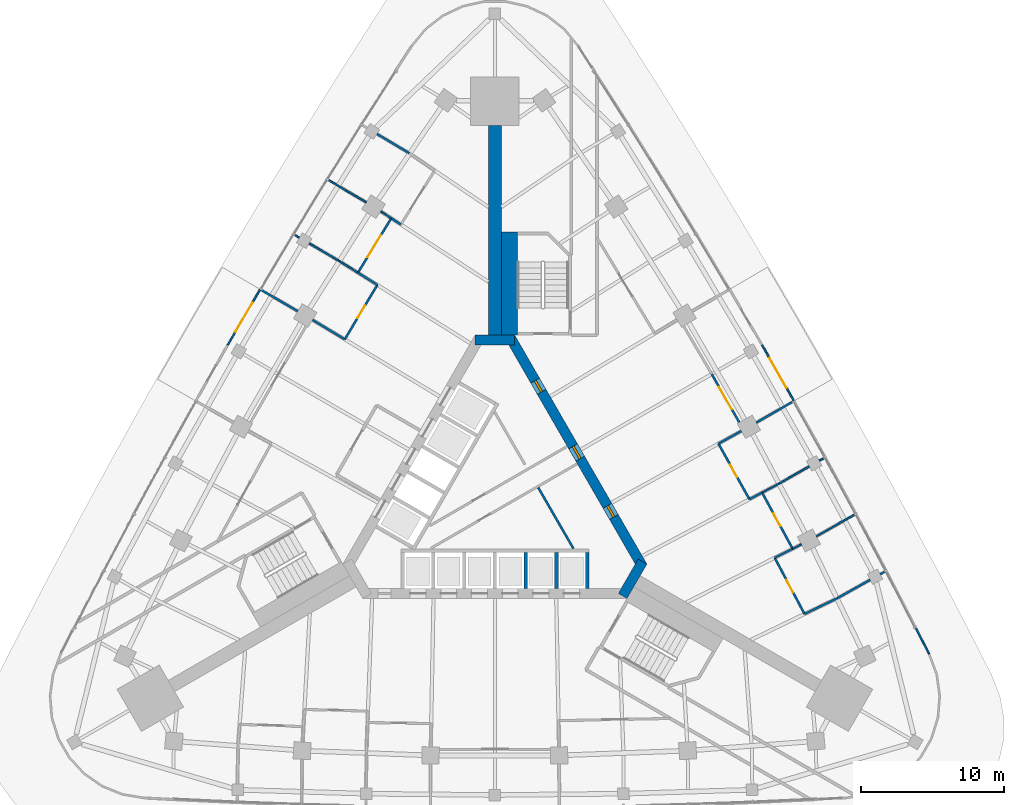
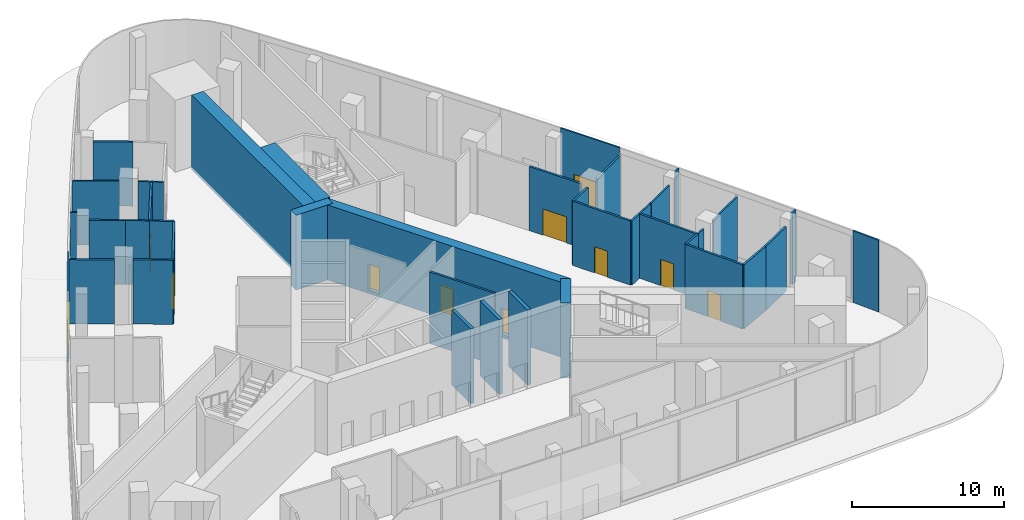
# One storey, part 9 of 14: 40 walls, 11 doors, 11 openings.
"""IFC4 building model written with IfcOpenShell, lengths in metres."""

from ifc_helpers import new_model, si_unit, direction, frame, frame_2d, origin, place, context, subcontext, project, spatial, rectangle, extrude, material, layer, layer_set, type_object, element, fill, save


model = new_model("IFC4")

# Units and contexts
model_context = context("Model", 3, precision=1e-05, world=origin(), true_north=direction((0.0, 1.0)))
body_context = subcontext(model_context, "Body", "Model", "MODEL_VIEW")
ifc_project = project(units=[si_unit("LENGTHUNIT", "METRE"), si_unit("AREAUNIT", "SQUARE_METRE"), si_unit("VOLUMEUNIT", "CUBIC_METRE"), si_unit("PLANEANGLEUNIT", "RADIAN"), si_unit("MASSUNIT", "GRAM", prefix="KILO")], contexts=[model_context])

# Site, building, storey
site_placement = place(None, origin())
site = spatial("IfcSite", under=ifc_project, at=site_placement, CompositionType="ELEMENT")
building_placement = place(site_placement, origin())
building = spatial("IfcBuilding", under=site, at=building_placement, Name="Noor Cloister Tower", CompositionType="ELEMENT")
storey_placement = place(building_placement, origin())
storey = spatial("IfcBuildingStorey", under=building, at=storey_placement, Name="L00", CompositionType="ELEMENT", Elevation=0.0)

# Walls
ifc_material_1 = material(Name="Concrete C80/95", Category="concrete")
ifc_layer_1 = layer(ifc_material_1, 0.89990234375)
ifc_layer_set_1 = layer_set([ifc_layer_1], Name="Buttress wall 900 C80/95")
wall_type_1 = type_object("IfcWallType", Name="Buttress wall 900 C80/95", PredefinedType="SHEAR", material=ifc_layer_set_1)
wall_1_placement = place(storey_placement, frame((0.0, 11.456298828125, -0.25), z_axis=(0.0, 0.0, 1.0), x_axis=(0.0, 1.0, 0.0)))
element("IfcWall", 1, at=wall_1_placement, inside=storey, type_object=wall_type_1, Name="Buttress wall N L00", PredefinedType="SHEAR", context=body_context, shape_type="SweptSolid", body=[
    extrude(rectangle(XDim=14.6328125, YDim=0.89990234375, at=frame_2d((7.31640625, 0.0))), origin(), (0.0, 0.0, 1.0), 6.0),
])
ifc_material_2 = material(Name="Concrete C30/37", Category="concrete")
ifc_layer_2 = layer(ifc_material_2, 0.14990234375)
ifc_layer_set_2 = layer_set([ifc_layer_2], Name="Core partition 150 C30/37")
wall_type_2 = type_object("IfcWallType", Name="Core partition 150 C30/37", PredefinedType="PARTITIONING", material=ifc_layer_set_2)
wall_2_placement = place(storey_placement, frame((5.482421875, -3.439208984375, 0.0), z_axis=(0.0, 0.0, 1.0), x_axis=(-0.500006183238, 0.866021833861, 0.0)))
element("IfcWall", 2, at=wall_2_placement, inside=storey, type_object=wall_type_2, Name="Core room partition L00 4", PredefinedType="PARTITIONING", context=body_context, shape_type="SweptSolid", body=[
    extrude(rectangle(XDim=4.916015625, YDim=0.14990234375, at=frame_2d((2.4580078125, 0.0))), origin(), (0.0, 0.0, 1.0), 5.75),
])
ifc_material_3 = material(Name="Concrete C80/95", Category="concrete")
ifc_layer_3 = layer(ifc_material_3, 0.699951171875)
ifc_layer_set_3 = layer_set([ifc_layer_3], Name="Core wall 700 C80/95")
wall_type_3 = type_object("IfcWallType", Name="Core wall 700 C80/95", PredefinedType="SHEAR", material=ifc_layer_set_3)
wall_3_placement = place(storey_placement, frame((8.925537109375, -6.753173828125, -0.25), z_axis=(0.0, 0.0, 1.0), x_axis=(0.500042739161, 0.866000726912, 0.0)))
element("IfcWall", 3, at=wall_3_placement, inside=storey, type_object=wall_type_3, Name="Core wall L00 2", PredefinedType="SHEAR", context=body_context, shape_type="SweptSolid", body=[
    extrude(rectangle(XDim=2.771240234375, YDim=0.699951171875, at=frame_2d((1.3857421875, 0.0))), origin(), (0.0, 0.0, 1.0), 6.0),
])

# Wall, openings, doors
wall_4_placement = place(storey_placement, frame((10.311279296875, -4.703125, -0.25), z_axis=(0.0, 0.0, 1.0), x_axis=(-0.500001446645, 0.866024568562, 0.0)))
wall_4 = element("IfcWall", 4, at=wall_4_placement, inside=storey, type_object=wall_type_3, Name="Core wall L00 3", PredefinedType="SHEAR", context=body_context, shape_type="SweptSolid", body=[
    extrude(rectangle(XDim=18.45751953125, YDim=0.699951171875, at=frame_2d((9.228759765625, 0.0))), origin(), (0.0, 0.0, 1.0), 6.0),
])
opening_1_placement = place(wall_4_placement, frame((8.699951171875, 0.0, 0.25)))
opening_1 = element("IfcOpeningElement", 5, at=opening_1_placement, cuts=wall_4, Name="Opening L00-901", PredefinedType="OPENING", context=body_context, shape_type="SweptSolid", body=[
    extrude(rectangle(XDim=1.0, YDim=2.10009765625, at=frame_2d((0.5, 1.050048828125))), frame((0.0, 0.35986328125, 0.0), z_axis=(0.0, -1.0, 0.0), x_axis=(1.0, 0.0, 0.0)), (0.0, 0.0, 1.0), 0.719970703125),
])
opening_2_placement = place(wall_4_placement, frame((4.001953125, 0.0, 0.25)))
opening_2 = element("IfcOpeningElement", 6, at=opening_2_placement, cuts=wall_4, Name="Opening L00-902", PredefinedType="OPENING", context=body_context, shape_type="SweptSolid", body=[
    extrude(rectangle(XDim=0.89990234375, YDim=2.10009765625, at=frame_2d((0.449951171875, 1.050048828125))), frame((0.0, 0.35986328125, 0.0), z_axis=(0.0, -1.0, 0.0), x_axis=(1.0, 0.0, 0.0)), (0.0, 0.0, 1.0), 0.719970703125),
])
opening_3_placement = place(wall_4_placement, frame((14.093017578125, 0.0, 0.25)))
opening_3 = element("IfcOpeningElement", 7, at=opening_3_placement, cuts=wall_4, Name="Opening L00-903", PredefinedType="OPENING", context=body_context, shape_type="SweptSolid", body=[
    extrude(rectangle(XDim=0.89990234375, YDim=2.10009765625, at=frame_2d((0.449951171875, 1.050048828125))), frame((0.0, 0.35986328125, 0.0), z_axis=(0.0, -1.0, 0.0), x_axis=(1.0, 0.0, 0.0)), (0.0, 0.0, 1.0), 0.719970703125),
])
ifc_material_4 = material(Name="Steel", Category="steel")
door_type_1 = type_object("IfcDoorType", Name="Core door 1000 x 2100 FD120", OperationType="SINGLE_SWING_LEFT", PredefinedType="DOOR", material=ifc_material_4)
door_1_placement = place(opening_1_placement, origin())
door_1 = element("IfcDoor", 8, at=door_1_placement, inside=storey, type_object=door_type_1, Name="Core door 1 L00", OperationType="SINGLE_SWING_LEFT", OverallHeight=2.10009765625, OverallWidth=1.0, PredefinedType="DOOR", context=body_context, shape_type="SweptSolid", body=[
    extrude(rectangle(XDim=1.0, YDim=2.10009765625, at=frame_2d((0.5, 1.050048828125))), frame((0.0, 0.074951171875, 0.0), z_axis=(0.0, -1.0, 0.0), x_axis=(1.0, 0.0, 0.0)), (0.0, 0.0, 1.0), 0.14990234375),
])
fill(opening_1, door_1)
ifc_material_5 = material(Name="Steel", Category="steel")
door_type_2 = type_object("IfcDoorType", Name="Core door 900 x 2100 FD120", OperationType="SINGLE_SWING_LEFT", PredefinedType="DOOR", material=ifc_material_5)
door_2_placement = place(opening_2_placement, origin())
door_2 = element("IfcDoor", 9, at=door_2_placement, inside=storey, type_object=door_type_2, Name="Core door 2 L00", OperationType="SINGLE_SWING_RIGHT", OverallHeight=2.10009765625, OverallWidth=0.89990234375, PredefinedType="DOOR", context=body_context, shape_type="SweptSolid", body=[
    extrude(rectangle(XDim=0.89990234375, YDim=2.10009765625, at=frame_2d((0.449951171875, 1.050048828125))), frame((0.0, 0.074951171875, 0.0), z_axis=(0.0, -1.0, 0.0), x_axis=(1.0, 0.0, 0.0)), (0.0, 0.0, 1.0), 0.14990234375),
])
fill(opening_2, door_2)
door_3_placement = place(opening_3_placement, origin())
door_3 = element("IfcDoor", 10, at=door_3_placement, inside=storey, type_object=door_type_2, Name="Core door 3 L00", OperationType="SINGLE_SWING_LEFT", OverallHeight=2.10009765625, OverallWidth=0.89990234375, PredefinedType="DOOR", context=body_context, shape_type="SweptSolid", body=[
    extrude(rectangle(XDim=0.89990234375, YDim=2.10009765625, at=frame_2d((0.449951171875, 1.050048828125))), frame((0.0, 0.074951171875, 0.0), z_axis=(0.0, -1.0, 0.0), x_axis=(1.0, 0.0, 0.0)), (0.0, 0.0, 1.0), 0.14990234375),
])
fill(opening_3, door_3)

# Walls
wall_5_placement = place(storey_placement, frame((1.3857421875, 11.1064453125, -0.25), z_axis=(0.0, 0.0, 1.0), x_axis=(-1.0, 0.0, 0.0)))
element("IfcWall", 11, at=wall_5_placement, inside=storey, type_object=wall_type_3, Name="Core wall L00 4", PredefinedType="SHEAR", context=body_context, shape_type="SweptSolid", body=[
    extrude(rectangle(XDim=2.771484375, YDim=0.699951171875, at=frame_2d((1.3857421875, 0.0))), origin(), (0.0, 0.0, 1.0), 6.0),
])
ifc_material_6 = material(Name="Plasterboard on steel studs", Category="steel")
ifc_layer_4 = layer(ifc_material_6, 0.14990234375)
ifc_layer_set_4 = layer_set([ifc_layer_4], Name="Corridor wall 150")
wall_type_4 = type_object("IfcWallType", Name="Corridor wall 150", PredefinedType="PARTITIONING", material=ifc_layer_set_4)
wall_6_placement = place(storey_placement, frame((20.79296875, -3.4580078125, 0.0), z_axis=(0.0, 0.0, 1.0), x_axis=(-0.892393029741, -0.451258994891, 0.0)))
element("IfcWall", 12, at=wall_6_placement, inside=storey, type_object=wall_type_4, Name="Partition", PredefinedType="PARTITIONING", context=body_context, shape_type="SweptSolid", body=[
    extrude(rectangle(XDim=1.3984375, YDim=0.14990234375, at=frame_2d((0.69921875, 0.0))), origin(), (0.0, 0.0, 1.0), 5.137939453125),
])

# Wall, opening, door
wall_7_placement = place(storey_placement, frame((19.544921875, -4.089111328125, 0.0), z_axis=(0.0, 0.0, 1.0), x_axis=(0.468453235822, -0.88348829412, 0.0)))
wall_7 = element("IfcWall", 13, at=wall_7_placement, inside=storey, type_object=wall_type_4, Name="Partition", PredefinedType="PARTITIONING", context=body_context, shape_type="SweptSolid", body=[
    extrude(rectangle(XDim=4.4423828125, YDim=0.14990234375, at=frame_2d((2.22119140625, 0.0))), origin(), (0.0, 0.0, 1.0), 5.137939453125),
])
opening_4_placement = place(wall_7_placement, frame((1.75, 0.0, 0.0)))
opening_4 = element("IfcOpeningElement", 14, at=opening_4_placement, cuts=wall_7, Name="Opening L00-005", PredefinedType="OPENING", context=body_context, shape_type="SweptSolid", body=[
    extrude(rectangle(XDim=1.0, YDim=2.10009765625, at=frame_2d((0.5, 1.050048828125))), frame((0.0, 0.0849609375, 0.0), z_axis=(0.0, -1.0, 0.0), x_axis=(1.0, 0.0, 0.0)), (0.0, 0.0, 1.0), 0.169921875),
])
ifc_material_7 = material(Name="Timber door leaf", Category="wood")
door_type_3 = type_object("IfcDoorType", Name="WC block door 1000", OperationType="SINGLE_SWING_LEFT", PredefinedType="DOOR", material=ifc_material_7)
door_4_placement = place(opening_4_placement, origin())
door_4 = element("IfcDoor", 15, at=door_4_placement, inside=storey, type_object=door_type_3, Name="Door L00-005", OperationType="SINGLE_SWING_RIGHT", OverallHeight=2.10009765625, OverallWidth=1.0, PredefinedType="DOOR", context=body_context, shape_type="SweptSolid", body=[
    extrude(rectangle(XDim=1.0, YDim=2.10009765625, at=frame_2d((0.5, 1.050048828125))), frame((0.0, 0.02490234375, 0.0), z_axis=(0.0, -1.0, 0.0), x_axis=(1.0, 0.0, 0.0)), (0.0, 0.0, 1.0), 0.050048828125),
])
fill(opening_4, door_4)

# Walls
wall_8_placement = place(storey_placement, frame((21.6259765625, -8.013916015625, 0.0), z_axis=(0.0, 0.0, 1.0), x_axis=(0.90070653262, 0.4344280632, 0.0)))
element("IfcWall", 16, at=wall_8_placement, inside=storey, type_object=wall_type_4, Name="Partition", PredefinedType="PARTITIONING", context=body_context, shape_type="SweptSolid", body=[
    extrude(rectangle(XDim=2.552490234375, YDim=0.14990234375, at=frame_2d((1.2763671875, 0.0))), origin(), (0.0, 0.0, 1.0), 5.137939453125),
])
wall_9_placement = place(storey_placement, frame((23.926025390625, -6.905029296875, 0.0), z_axis=(0.0, 0.0, 1.0), x_axis=(0.87242811496, 0.488742451836, 0.0)))
element("IfcWall", 17, at=wall_9_placement, inside=storey, type_object=wall_type_4, Name="Partition", PredefinedType="PARTITIONING", context=body_context, shape_type="SweptSolid", body=[
    extrude(rectangle(XDim=2.619140625, YDim=0.14990234375, at=frame_2d((1.3095703125, 0.0))), origin(), (0.0, 0.0, 1.0), 5.137939453125),
])
wall_10_placement = place(storey_placement, frame((26.908935546875, -5.23388671875, 0.0), z_axis=(0.0, 0.0, 1.0), x_axis=(0.872544760499, 0.4885341758, 0.0)))
element("IfcWall", 18, at=wall_10_placement, inside=storey, type_object=wall_type_4, Name="Partition", PredefinedType="PARTITIONING", context=body_context, shape_type="SweptSolid", body=[
    extrude(rectangle(XDim=0.4296875, YDim=0.14990234375, at=frame_2d((0.21484375, 0.0))), origin(), (0.0, 0.0, 1.0), 5.75),
])

# Wall, opening, door
wall_11_placement = place(storey_placement, frame((20.77099609375, -3.412109375, 0.0), z_axis=(0.0, 0.0, 1.0), x_axis=(-0.477813137195, 0.878461499398, 0.0)))
wall_11 = element("IfcWall", 19, at=wall_11_placement, inside=storey, type_object=wall_type_4, Name="Partition", PredefinedType="PARTITIONING", context=body_context, shape_type="SweptSolid", body=[
    extrude(rectangle(XDim=4.41357421875, YDim=0.14990234375, at=frame_2d((2.206787109375, 0.0))), origin(), (0.0, 0.0, 1.0), 5.137939453125),
])
opening_5_placement = place(wall_11_placement, frame((1.75, 0.0, 0.0)))
opening_5 = element("IfcOpeningElement", 20, at=opening_5_placement, cuts=wall_11, Name="Opening L00-007", PredefinedType="OPENING", context=body_context, shape_type="SweptSolid", body=[
    extrude(rectangle(XDim=1.0, YDim=2.10009765625, at=frame_2d((0.5, 1.050048828125))), frame((0.0, 0.0849609375, 0.0), z_axis=(0.0, -1.0, 0.0), x_axis=(1.0, 0.0, 0.0)), (0.0, 0.0, 1.0), 0.169921875),
])
ifc_material_8 = material(Name="Timber door leaf", Category="wood")
door_type_4 = type_object("IfcDoorType", Name="Clinic room door 1000", OperationType="SINGLE_SWING_LEFT", PredefinedType="DOOR", material=ifc_material_8)
door_5_placement = place(opening_5_placement, origin())
door_5 = element("IfcDoor", 21, at=door_5_placement, inside=storey, type_object=door_type_4, Name="Door L00-007", OperationType="SINGLE_SWING_LEFT", OverallHeight=2.10009765625, OverallWidth=1.0, PredefinedType="DOOR", context=body_context, shape_type="SweptSolid", body=[
    extrude(rectangle(XDim=1.0, YDim=2.10009765625, at=frame_2d((0.5, 1.050048828125))), frame((0.0, 0.02490234375, 0.0), z_axis=(0.0, -1.0, 0.0), x_axis=(1.0, 0.0, 0.0)), (0.0, 0.0, 1.0), 0.050048828125),
])
fill(opening_5, door_5)

# Wall
wall_12_placement = place(storey_placement, frame((18.6650390625, 0.468017578125, 0.0), z_axis=(0.0, 0.0, 1.0), x_axis=(-0.884024558502, -0.467440456064, 0.0)))
element("IfcWall", 22, at=wall_12_placement, inside=storey, type_object=wall_type_4, Name="Partition", PredefinedType="PARTITIONING", context=body_context, shape_type="SweptSolid", body=[
    extrude(rectangle(XDim=1.00341796875, YDim=0.14990234375, at=frame_2d((0.501708984375, 0.0))), origin(), (0.0, 0.0, 1.0), 5.137939453125),
])

# Wall, opening, door
wall_13_placement = place(storey_placement, frame((17.77001953125, 0.011962890625, 0.0), z_axis=(0.0, 0.0, 1.0), x_axis=(-0.486499058613, 0.873681100842, 0.0)))
wall_13 = element("IfcWall", 23, at=wall_13_placement, inside=storey, type_object=wall_type_4, Name="Partition", PredefinedType="PARTITIONING", context=body_context, shape_type="SweptSolid", body=[
    extrude(rectangle(XDim=4.4296875, YDim=0.14990234375, at=frame_2d((2.21484375, 0.0))), origin(), (0.0, 0.0, 1.0), 5.137939453125),
])
opening_6_placement = place(wall_13_placement, frame((1.75, 0.0, 0.0)))
opening_6 = element("IfcOpeningElement", 24, at=opening_6_placement, cuts=wall_13, Name="Opening L00-008", PredefinedType="OPENING", context=body_context, shape_type="SweptSolid", body=[
    extrude(rectangle(XDim=1.0, YDim=2.10009765625, at=frame_2d((0.5, 1.050048828125))), frame((0.0, 0.0849609375, 0.0), z_axis=(0.0, -1.0, 0.0), x_axis=(1.0, 0.0, 0.0)), (0.0, 0.0, 1.0), 0.169921875),
])
door_6_placement = place(opening_6_placement, origin())
door_6 = element("IfcDoor", 25, at=door_6_placement, inside=storey, type_object=door_type_4, Name="Door L00-008", OperationType="SINGLE_SWING_LEFT", OverallHeight=2.10009765625, OverallWidth=1.0, PredefinedType="DOOR", context=body_context, shape_type="SweptSolid", body=[
    extrude(rectangle(XDim=1.0, YDim=2.10009765625, at=frame_2d((0.5, 1.050048828125))), frame((0.0, 0.02490234375, 0.0), z_axis=(0.0, -1.0, 0.0), x_axis=(1.0, 0.0, 0.0)), (0.0, 0.0, 1.0), 0.050048828125),
])
fill(opening_6, door_6)

# Wall
wall_14_placement = place(storey_placement, frame((15.614990234375, 3.884033203125, 0.0), z_axis=(0.0, 0.0, 1.0), x_axis=(0.875240045644, 0.483688807501, 0.0)))
element("IfcWall", 26, at=wall_14_placement, inside=storey, type_object=wall_type_4, Name="Partition", PredefinedType="PARTITIONING", context=body_context, shape_type="SweptSolid", body=[
    extrude(rectangle(XDim=1.82568359375, YDim=0.14990234375, at=frame_2d((0.912841796875, 0.0))), origin(), (0.0, 0.0, 1.0), 5.137939453125),
])

# Wall, opening, door
wall_15_placement = place(storey_placement, frame((17.068115234375, 5.3720703125, 0.0), z_axis=(0.0, 0.0, 1.0), x_axis=(-0.495535858124, 0.86858748167, 0.0)))
wall_15 = element("IfcWall", 27, at=wall_15_placement, inside=storey, type_object=wall_type_4, Name="Partition", PredefinedType="PARTITIONING", context=body_context, shape_type="SweptSolid", body=[
    extrude(rectangle(XDim=3.880859375, YDim=0.14990234375, at=frame_2d((1.9404296875, 0.0))), origin(), (0.0, 0.0, 1.0), 5.137939453125),
])
opening_7_placement = place(wall_15_placement, frame((1.050048828125, 0.0, 0.0)))
opening_7 = element("IfcOpeningElement", 28, at=opening_7_placement, cuts=wall_15, Name="Opening L00-016", PredefinedType="OPENING", context=body_context, shape_type="SweptSolid", body=[
    extrude(rectangle(XDim=1.800048828125, YDim=2.10009765625, at=frame_2d((0.89990234375, 1.050048828125))), frame((0.0, 0.0849609375, 0.0), z_axis=(0.0, -1.0, 0.0), x_axis=(1.0, 0.0, 0.0)), (0.0, 0.0, 1.0), 0.169921875),
])
ifc_material_9 = material(Name="Timber door leaf", Category="wood")
door_type_5 = type_object("IfcDoorType", Name="Double leaf door 1800", OperationType="DOUBLE_DOOR_SINGLE_SWING", PredefinedType="DOOR", material=ifc_material_9)
door_7_placement = place(opening_7_placement, origin())
door_7 = element("IfcDoor", 29, at=door_7_placement, inside=storey, type_object=door_type_5, Name="Door L00-016", OperationType="DOUBLE_DOOR_SINGLE_SWING", OverallHeight=2.10009765625, OverallWidth=1.800048828125, PredefinedType="DOOR", context=body_context, shape_type="SweptSolid", body=[
    extrude(rectangle(XDim=1.800048828125, YDim=2.10009765625, at=frame_2d((0.89990234375, 1.050048828125))), frame((0.0, 0.02490234375, 0.0), z_axis=(0.0, -1.0, 0.0), x_axis=(1.0, 0.0, 0.0)), (0.0, 0.0, 1.0), 0.050048828125),
])
fill(opening_7, door_7)

# Walls
wall_16_placement = place(storey_placement, frame((20.837890625, 6.8349609375, 0.0), z_axis=(0.0, 0.0, 1.0), x_axis=(-0.867382463281, -0.497642102714, 0.0)))
element("IfcWall", 30, at=wall_16_placement, inside=storey, type_object=wall_type_4, Name="Partition", PredefinedType="PARTITIONING", context=body_context, shape_type="SweptSolid", body=[
    extrude(rectangle(XDim=2.971923828125, YDim=0.14990234375, at=frame_2d((1.48583984375, 0.0))), origin(), (0.0, 0.0, 1.0), 5.133056640625),
])
wall_17_placement = place(storey_placement, frame((-13.76904296875, 13.135009765625, 0.0), z_axis=(0.0, 0.0, 1.0), x_axis=(-0.864594359068, 0.502470490943, 0.0)))
element("IfcWall", 31, at=wall_17_placement, inside=storey, type_object=wall_type_4, Name="Partition", PredefinedType="PARTITIONING", context=body_context, shape_type="SweptSolid", body=[
    extrude(rectangle(XDim=2.97119140625, YDim=0.14990234375, at=frame_2d((1.485595703125, 0.0))), origin(), (0.0, 0.0, 1.0), 5.133056640625),
])
wall_18_placement = place(storey_placement, frame((-12.735107421875, 12.52392578125, 0.0), z_axis=(0.0, 0.0, 1.0), x_axis=(0.856490884452, -0.516162149766, 0.0)))
element("IfcWall", 32, at=wall_18_placement, inside=storey, type_object=wall_type_4, Name="Partition", PredefinedType="PARTITIONING", context=body_context, shape_type="SweptSolid", body=[
    extrude(rectangle(XDim=2.626953125, YDim=0.14990234375, at=frame_2d((1.3134765625, 0.0))), origin(), (0.0, 0.0, 1.0), 5.137939453125),
])

# Wall, opening, door
wall_19_placement = place(storey_placement, frame((-10.485107421875, 11.1689453125, 0.0), z_axis=(0.0, 0.0, 1.0), x_axis=(0.513360176277, 0.858173251397, 0.0)))
wall_19 = element("IfcWall", 33, at=wall_19_placement, inside=storey, type_object=wall_type_4, Name="Partition", PredefinedType="PARTITIONING", context=body_context, shape_type="SweptSolid", body=[
    extrude(rectangle(XDim=4.427978515625, YDim=0.14990234375, at=frame_2d((2.2138671875, 0.0))), origin(), (0.0, 0.0, 1.0), 5.137939453125),
])
opening_8_placement = place(wall_19_placement, frame((1.75, 0.0, 0.0)))
opening_8 = element("IfcOpeningElement", 34, at=opening_8_placement, cuts=wall_19, Name="Opening L00-009", PredefinedType="OPENING", context=body_context, shape_type="SweptSolid", body=[
    extrude(rectangle(XDim=1.0, YDim=2.10009765625, at=frame_2d((0.5, 1.050048828125))), frame((0.0, 0.0849609375, 0.0), z_axis=(0.0, -1.0, 0.0), x_axis=(1.0, 0.0, 0.0)), (0.0, 0.0, 1.0), 0.169921875),
])
door_8_placement = place(opening_8_placement, origin())
door_8 = element("IfcDoor", 35, at=door_8_placement, inside=storey, type_object=door_type_4, Name="Door L00-009", OperationType="SINGLE_SWING_RIGHT", OverallHeight=2.10009765625, OverallWidth=1.0, PredefinedType="DOOR", context=body_context, shape_type="SweptSolid", body=[
    extrude(rectangle(XDim=1.0, YDim=2.10009765625, at=frame_2d((0.5, 1.050048828125))), frame((0.0, 0.02490234375, 0.0), z_axis=(0.0, -1.0, 0.0), x_axis=(1.0, 0.0, 0.0)), (0.0, 0.0, 1.0), 0.050048828125),
])
fill(opening_8, door_8)

# Wall
wall_20_placement = place(storey_placement, frame((-8.2109375, 14.970947265625, 0.0), z_axis=(0.0, 0.0, 1.0), x_axis=(-0.846915577331, 0.531727378338, 0.0)))
element("IfcWall", 36, at=wall_20_placement, inside=storey, type_object=wall_type_4, Name="Partition", PredefinedType="PARTITIONING", context=body_context, shape_type="SweptSolid", body=[
    extrude(rectangle(XDim=1.5986328125, YDim=0.14990234375, at=frame_2d((0.79931640625, 0.0))), origin(), (0.0, 0.0, 1.0), 5.137939453125),
])

# Wall, opening, door
wall_21_placement = place(storey_placement, frame((-7.260009765625, 19.587890625, 0.0), z_axis=(0.0, 0.0, 1.0), x_axis=(-0.522038122716, -0.852922152621, 0.0)))
wall_21 = element("IfcWall", 37, at=wall_21_placement, inside=storey, type_object=wall_type_4, Name="Partition", PredefinedType="PARTITIONING", context=body_context, shape_type="SweptSolid", body=[
    extrude(rectangle(XDim=4.415283203125, YDim=0.14990234375, at=frame_2d((2.20751953125, 0.0))), origin(), (0.0, 0.0, 1.0), 5.137939453125),
])
opening_9_placement = place(wall_21_placement, frame((1.35009765625, 0.0, 0.0)))
opening_9 = element("IfcOpeningElement", 38, at=opening_9_placement, cuts=wall_21, Name="Opening L00-010", PredefinedType="OPENING", context=body_context, shape_type="SweptSolid", body=[
    extrude(rectangle(XDim=1.800048828125, YDim=2.10009765625, at=frame_2d((0.89990234375, 1.050048828125))), frame((0.0, 0.0849609375, 0.0), z_axis=(0.0, -1.0, 0.0), x_axis=(1.0, 0.0, 0.0)), (0.0, 0.0, 1.0), 0.169921875),
])
door_9_placement = place(opening_9_placement, origin())
door_9 = element("IfcDoor", 39, at=door_9_placement, inside=storey, type_object=door_type_5, Name="Door L00-010", OperationType="DOUBLE_DOOR_SINGLE_SWING", OverallHeight=2.10009765625, OverallWidth=1.800048828125, PredefinedType="DOOR", context=body_context, shape_type="SweptSolid", body=[
    extrude(rectangle(XDim=1.800048828125, YDim=2.10009765625, at=frame_2d((0.89990234375, 1.050048828125))), frame((0.0, 0.02490234375, 0.0), z_axis=(0.0, -1.0, 0.0), x_axis=(1.0, 0.0, 0.0)), (0.0, 0.0, 1.0), 0.050048828125),
])
fill(opening_9, door_9)

# Walls
wall_22_placement = place(storey_placement, frame((-8.23291015625, 25.511962890625, 0.0), z_axis=(0.0, 0.0, 1.0), x_axis=(0.859460620951, -0.51120195719, 0.0)))
element("IfcWall", 40, at=wall_22_placement, inside=storey, type_object=wall_type_4, Name="Partition", PredefinedType="PARTITIONING", context=body_context, shape_type="SweptSolid", body=[
    extrude(rectangle(XDim=2.619140625, YDim=0.14990234375, at=frame_2d((1.3095703125, 0.0))), origin(), (0.0, 0.0, 1.0), 5.137939453125),
])
wall_23_placement = place(storey_placement, frame((-6.56689453125, 19.18994140625, 0.0), z_axis=(0.0, 0.0, 1.0), x_axis=(-0.837253455451, 0.546815006502, 0.0)))
element("IfcWall", 41, at=wall_23_placement, inside=storey, type_object=wall_type_4, Name="Partition", PredefinedType="PARTITIONING", context=body_context, shape_type="SweptSolid", body=[
    extrude(rectangle(XDim=0.802734375, YDim=0.14990234375, at=frame_2d((0.4013671875, 0.0))), origin(), (0.0, 0.0, 1.0), 5.137939453125),
])
ifc_material_10 = material(Name="Limestone", Category="masonry")
ifc_layer_5 = layer(ifc_material_10, 0.1201171875)
ifc_layer_set_5 = layer_set([ifc_layer_5], Name="Limestone cladding 120")
wall_type_5 = type_object("IfcWallType", Name="Limestone cladding 120", PredefinedType="NOTDEFINED", material=ifc_layer_set_5)
wall_24_placement = place(storey_placement, frame((29.40478515625, -8.9912109375, 0.0), z_axis=(0.0, 0.0, 1.0), x_axis=(0.452783536197, -0.891620473828, 0.0)))
element("IfcWall", 42, at=wall_24_placement, inside=storey, type_object=wall_type_5, Name="Limestone pilaster wall L00 2.3", PredefinedType="NOTDEFINED", context=body_context, shape_type="SweptSolid", body=[
    extrude(rectangle(XDim=2.030517578125, YDim=0.1201171875, at=frame_2d((1.01513671875, 0.0))), origin(), (0.0, 0.0, 1.0), 5.75),
])

# Wall, opening, door
ifc_material_11 = material(Name="Limestone", Category="masonry")
ifc_layer_6 = layer(ifc_material_11, 0.1201171875)
ifc_layer_set_6 = layer_set([ifc_layer_6], Name="Limestone portal wall 120")
wall_type_6 = type_object("IfcWallType", Name="Limestone portal wall 120", PredefinedType="NOTDEFINED", material=ifc_layer_set_6)
wall_25_placement = place(storey_placement, frame((-18.65966796875, 10.775146484375, 0.0), z_axis=(0.0, 0.0, 1.0), x_axis=(0.50445499627, 0.86343798662, 0.0)))
wall_25 = element("IfcWall", 43, at=wall_25_placement, inside=storey, type_object=wall_type_6, Name="Entrance bay L00 NW 1", PredefinedType="NOTDEFINED", context=body_context, shape_type="SweptSolid", body=[
    extrude(rectangle(XDim=4.49609375, YDim=0.1201171875, at=frame_2d((2.248046875, 0.0))), origin(), (0.0, 0.0, 1.0), 5.75),
])
opening_10_placement = place(wall_25_placement, frame((1.048095703125, 0.0, 0.0)))
opening_10 = element("IfcOpeningElement", 44, at=opening_10_placement, cuts=wall_25, Name="Opening L00-X03", PredefinedType="OPENING", context=body_context, shape_type="SweptSolid", body=[
    extrude(rectangle(XDim=2.39990234375, YDim=2.39990234375, at=frame_2d((1.199951171875, 1.199951171875))), frame((0.0, 0.070068359375, 0.0), z_axis=(0.0, -1.0, 0.0), x_axis=(1.0, 0.0, 0.0)), (0.0, 0.0, 1.0), 0.14013671875),
])
ifc_material_12 = material(Name="Glass and aluminium", Category="aluminium")
door_type_6 = type_object("IfcDoorType", Name="Revolving entrance door 2400 x 2400", OperationType="REVOLVING", PredefinedType="DOOR", material=ifc_material_12)
door_10_placement = place(opening_10_placement, origin())
door_10 = element("IfcDoor", 45, at=door_10_placement, inside=storey, type_object=door_type_6, Name="Main lobby entrance door NW 1", OperationType="REVOLVING", OverallHeight=2.39990234375, OverallWidth=2.39990234375, PredefinedType="DOOR", context=body_context, shape_type="SweptSolid", body=[
    extrude(rectangle(XDim=2.39990234375, YDim=2.39990234375, at=frame_2d((1.199951171875, 1.199951171875))), frame((0.0, 0.02490234375, 0.0), z_axis=(0.0, -1.0, 0.0), x_axis=(1.0, 0.0, 0.0)), (0.0, 0.0, 1.0), 0.050048828125),
])
fill(opening_10, door_10)

wall_26_placement = place(storey_placement, frame((18.661376953125, 10.772216796875, 0.0), z_axis=(0.0, 0.0, 1.0), x_axis=(0.495501388328, -0.868607146048, 0.0)))
wall_26 = element("IfcWall", 46, at=wall_26_placement, inside=storey, type_object=wall_type_6, Name="Entrance bay L00 NE 1", PredefinedType="NOTDEFINED", context=body_context, shape_type="SweptSolid", body=[
    extrude(rectangle(XDim=4.49609375, YDim=0.1201171875, at=frame_2d((2.248046875, 0.0))), origin(), (0.0, 0.0, 1.0), 5.75),
])
opening_11_placement = place(wall_26_placement, frame((1.048095703125, 0.0, 0.0)))
opening_11 = element("IfcOpeningElement", 47, at=opening_11_placement, cuts=wall_26, Name="Opening L00-X11", PredefinedType="OPENING", context=body_context, shape_type="SweptSolid", body=[
    extrude(rectangle(XDim=2.39990234375, YDim=2.39990234375, at=frame_2d((1.199951171875, 1.199951171875))), frame((0.0, 0.070068359375, 0.0), z_axis=(0.0, -1.0, 0.0), x_axis=(1.0, 0.0, 0.0)), (0.0, 0.0, 1.0), 0.14013671875),
])
door_11_placement = place(opening_11_placement, origin())
door_11 = element("IfcDoor", 48, at=door_11_placement, inside=storey, type_object=door_type_6, Name="Station entrance door NE 1", OperationType="REVOLVING", OverallHeight=2.39990234375, OverallWidth=2.39990234375, PredefinedType="DOOR", context=body_context, shape_type="SweptSolid", body=[
    extrude(rectangle(XDim=2.39990234375, YDim=2.39990234375, at=frame_2d((1.199951171875, 1.199951171875))), frame((0.0, 0.02490234375, 0.0), z_axis=(0.0, -1.0, 0.0), x_axis=(1.0, 0.0, 0.0)), (0.0, 0.0, 1.0), 0.050048828125),
])
fill(opening_11, door_11)

# Walls
ifc_material_13 = material(Name="Plasterboard on steel studs", Category="steel")
ifc_layer_7 = layer(ifc_material_13, 0.1201171875)
ifc_layer_set_7 = layer_set([ifc_layer_7], Name="Partition wall 120")
wall_type_7 = type_object("IfcWallType", Name="Partition wall 120", PredefinedType="PARTITIONING", material=ifc_layer_set_7)
wall_27_placement = place(storey_placement, frame((21.40087890625, -3.14990234375, 0.0), z_axis=(0.0, 0.0, 1.0), x_axis=(-0.891970083601, -0.452094425935, 0.0)))
element("IfcWall", 49, at=wall_27_placement, inside=storey, type_object=wall_type_7, Name="Partition", PredefinedType="PARTITIONING", context=body_context, shape_type="SweptSolid", body=[
    extrude(rectangle(XDim=0.679443359375, YDim=0.1201171875, at=frame_2d((0.33984375, 0.0))), origin(), (0.0, 0.0, 1.0), 5.137939453125),
])
wall_28_placement = place(storey_placement, frame((25.177001953125, -1.049072265625, 0.0), z_axis=(0.0, 0.0, 1.0), x_axis=(-0.870597816272, -0.491995368171, 0.0)))
element("IfcWall", 50, at=wall_28_placement, inside=storey, type_object=wall_type_7, Name="Partition", PredefinedType="PARTITIONING", context=body_context, shape_type="SweptSolid", body=[
    extrude(rectangle(XDim=3.119873046875, YDim=0.1201171875, at=frame_2d((1.56005859375, 0.0))), origin(), (0.0, 0.0, 1.0), 5.133056640625),
])
wall_29_placement = place(storey_placement, frame((21.958984375, 2.294921875, 0.0), z_axis=(0.0, 0.0, 1.0), x_axis=(-0.868831589773, -0.49510773435, 0.0)))
element("IfcWall", 51, at=wall_29_placement, inside=storey, type_object=wall_type_7, Name="Partition", PredefinedType="PARTITIONING", context=body_context, shape_type="SweptSolid", body=[
    extrude(rectangle(XDim=2.3974609375, YDim=0.1201171875, at=frame_2d((1.19873046875, 0.0))), origin(), (0.0, 0.0, 1.0), 5.137939453125),
])
wall_30_placement = place(storey_placement, frame((19.875, 1.10791015625, 0.0), z_axis=(0.0, 0.0, 1.0), x_axis=(-0.883943143007, -0.467594396812, 0.0)))
element("IfcWall", 52, at=wall_30_placement, inside=storey, type_object=wall_type_7, Name="Partition", PredefinedType="PARTITIONING", context=body_context, shape_type="SweptSolid", body=[
    extrude(rectangle(XDim=1.376953125, YDim=0.1201171875, at=frame_2d((0.6884765625, 0.0))), origin(), (0.0, 0.0, 1.0), 5.137939453125),
])
wall_31_placement = place(storey_placement, frame((23.028076171875, 2.904052734375, 0.0), z_axis=(0.0, 0.0, 1.0), x_axis=(-0.868835821541, -0.495100308228, 0.0)))
element("IfcWall", 53, at=wall_31_placement, inside=storey, type_object=wall_type_7, Name="Partition", PredefinedType="PARTITIONING", context=body_context, shape_type="SweptSolid", body=[
    extrude(rectangle(XDim=0.430419921875, YDim=0.1201171875, at=frame_2d((0.21533203125, 0.0))), origin(), (0.0, 0.0, 1.0), 5.75),
])
wall_32_placement = place(storey_placement, frame((-13.657958984375, 18.27294921875, 0.0), z_axis=(0.0, 0.0, 1.0), x_axis=(-0.863201611898, 0.504859363801, 0.0)))
element("IfcWall", 54, at=wall_32_placement, inside=storey, type_object=wall_type_7, Name="Partition", PredefinedType="PARTITIONING", context=body_context, shape_type="SweptSolid", body=[
    extrude(rectangle(XDim=0.429931640625, YDim=0.1201171875, at=frame_2d((0.21484375, 0.0))), origin(), (0.0, 0.0, 1.0), 5.75),
])
wall_33_placement = place(storey_placement, frame((-9.56689453125, 15.822021484375, 0.0), z_axis=(0.0, 0.0, 1.0), x_axis=(-0.846844435925, 0.531840672892, 0.0)))
element("IfcWall", 55, at=wall_33_placement, inside=storey, type_object=wall_type_7, Name="Partition", PredefinedType="PARTITIONING", context=body_context, shape_type="SweptSolid", body=[
    extrude(rectangle(XDim=1.57177734375, YDim=0.1201171875, at=frame_2d((0.785888671875, 0.0))), origin(), (0.0, 0.0, 1.0), 5.137939453125),
])
wall_34_placement = place(storey_placement, frame((-10.89794921875, 16.657958984375, 0.0), z_axis=(0.0, 0.0, 1.0), x_axis=(-0.863161652457, 0.504927679701, 0.0)))
element("IfcWall", 56, at=wall_34_placement, inside=storey, type_object=wall_type_7, Name="Partition", PredefinedType="PARTITIONING", context=body_context, shape_type="SweptSolid", body=[
    extrude(rectangle(XDim=2.398193359375, YDim=0.1201171875, at=frame_2d((1.19921875, 0.0))), origin(), (0.0, 0.0, 1.0), 5.137939453125),
])
wall_35_placement = place(storey_placement, frame((-8.991943359375, 20.742919921875, 0.0), z_axis=(0.0, 0.0, 1.0), x_axis=(-0.861458975043, 0.507827169733, 0.0)))
element("IfcWall", 57, at=wall_35_placement, inside=storey, type_object=wall_type_7, Name="Partition", PredefinedType="PARTITIONING", context=body_context, shape_type="SweptSolid", body=[
    extrude(rectangle(XDim=3.119140625, YDim=0.1201171875, at=frame_2d((1.5595703125, 0.0))), origin(), (0.0, 0.0, 1.0), 5.133056640625),
])
wall_36_placement = place(storey_placement, frame((-7.23193359375, 19.625, 0.0), z_axis=(0.0, 0.0, 1.0), x_axis=(-0.837275659531, 0.546781007312, 0.0)))
element("IfcWall", 58, at=wall_36_placement, inside=storey, type_object=wall_type_7, Name="Partition", PredefinedType="PARTITIONING", context=body_context, shape_type="SweptSolid", body=[
    extrude(rectangle(XDim=0.885009765625, YDim=0.1201171875, at=frame_2d((0.4423828125, 0.0))), origin(), (0.0, 0.0, 1.0), 5.137939453125),
])
ifc_material_14 = material(Name="Concrete C80/95", Category="concrete")
ifc_layer_8 = layer(ifc_material_14, 0.25)
ifc_layer_set_8 = layer_set([ifc_layer_8], Name="Shaft wall 250 C80/95")
wall_type_8 = type_object("IfcWallType", Name="Shaft wall 250 C80/95", PredefinedType="PARTITIONING", material=ifc_layer_set_8)
for number, where, z_axis, x_axis, name in (
    (59, (2.14990234375, -6.228271484375, -0.25), (0.0, 0.0, 1.0), (0.0, 1.0, 0.0), "Lift shaft wall L00 S 5"),
    (60, (4.300048828125, -6.228271484375, -0.25), (0.0, 0.0, 1.0), (0.0, 1.0, 0.0), "Lift shaft wall L00 S 6"),
    (61, (6.449951171875, -6.228271484375, -0.25), (0.0, 0.0, 1.0), (0.0, 1.0, 0.0), "Lift shaft wall L00 S 7"),
):
    element("IfcWall", number, at=place(storey_placement, frame(where, z_axis=z_axis, x_axis=x_axis)), inside=storey, type_object=wall_type_8, Name=name, PredefinedType="PARTITIONING", context=body_context, shape_type="SweptSolid", body=[
        extrude(rectangle(XDim=2.5, YDim=0.25, at=frame_2d((1.25, 0.0))), origin(), (0.0, 0.0, 1.0), 6.0),
    ])
ifc_material_15 = material(Name="Concrete C80/95", Category="concrete")
ifc_layer_9 = layer(ifc_material_15, 1.135986328125)
ifc_layer_set_9 = layer_set([ifc_layer_9], Name="Stair enclosure wall 1136 C80/95")
wall_type_9 = type_object("IfcWallType", Name="Stair enclosure wall 1136 C80/95", PredefinedType="SHEAR", material=ifc_layer_set_9)
wall_37_placement = place(storey_placement, frame((1.017822265625, 11.456298828125, -0.25), z_axis=(0.0, 0.0, 1.0), x_axis=(0.0, 1.0, 0.0)))
element("IfcWall", 62, at=wall_37_placement, inside=storey, type_object=wall_type_9, Name="Stair enclosure wall ST1 L00 riser side", PredefinedType="SHEAR", context=body_context, shape_type="SweptSolid", body=[
    extrude(rectangle(XDim=7.2001953125, YDim=1.1357421875, at=frame_2d((3.60009765625, 0.0))), origin(), (0.0, 0.0, 1.0), 6.0),
])

save(model, "model.ifc")
